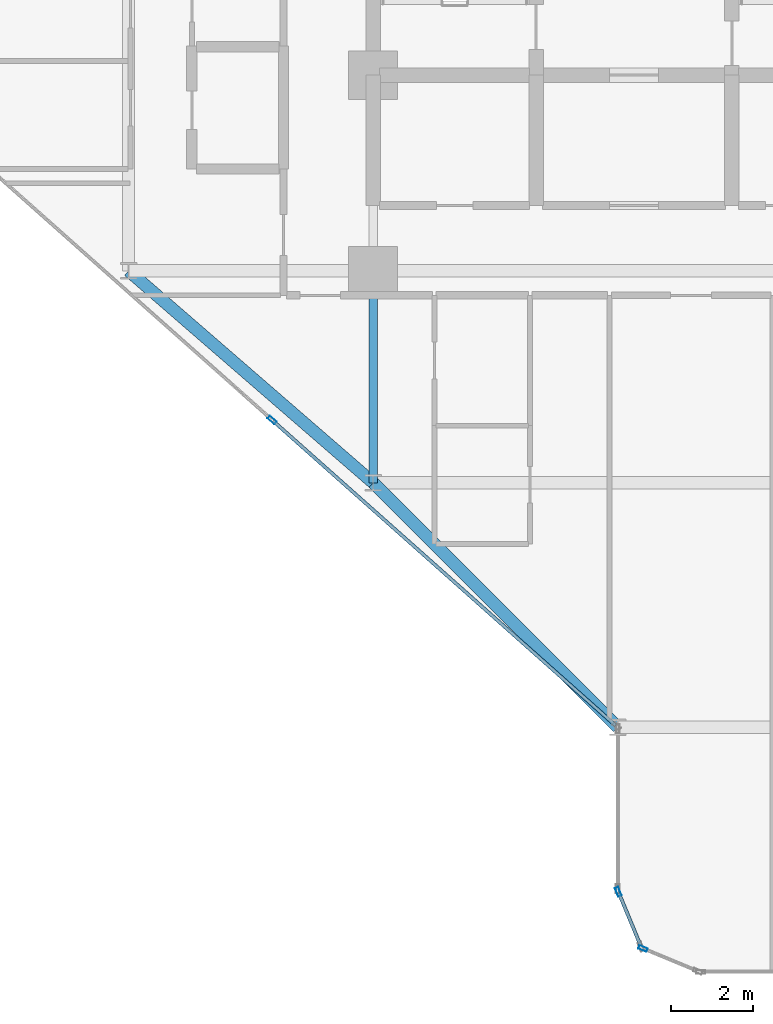
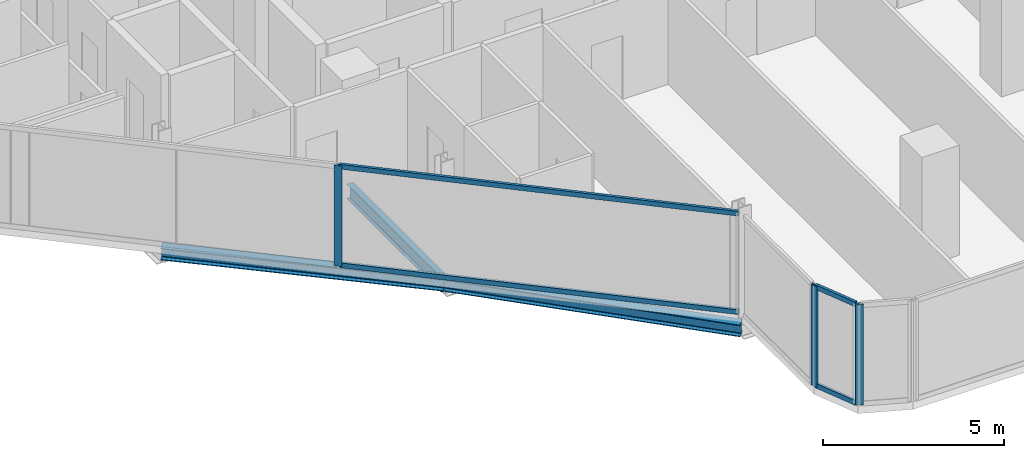
# One storey, part 3 of 33: 7 members, 3 beams, 3 elements without a shape of their own.
"""IFC4 building model written with IfcOpenShell, lengths in metres."""

from ifc_helpers import new_model, si_unit, direction, frame, origin, origin_2d, place, context, subcontext, project, spatial, hollow_rectangle, i_section, extrude, material, layer, layer_set, material_profile, profile_set, type_object, element, aggregate, save


model = new_model("IFC4")

# Units and contexts
model_context = context("Model", 3, precision=1e-05, world=origin(), true_north=direction((0.0, 1.0)))
body_context = subcontext(model_context, "Body", "Model", "MODEL_VIEW")
ifc_project = project(units=[si_unit("LENGTHUNIT", "METRE"), si_unit("AREAUNIT", "SQUARE_METRE"), si_unit("VOLUMEUNIT", "CUBIC_METRE"), si_unit("PLANEANGLEUNIT", "RADIAN"), si_unit("MASSUNIT", "GRAM", prefix="KILO")], contexts=[model_context])

# Site, building, storey
site_placement = place(None, origin())
site = spatial("IfcSite", under=ifc_project, at=site_placement, CompositionType="ELEMENT")
building_placement = place(site_placement, origin())
building = spatial("IfcBuilding", under=site, at=building_placement, Name="Keshet Zoharim Tower", CompositionType="ELEMENT")
storey_placement = place(building_placement, frame((0.0, 0.0, 73.800048828125)))
storey = spatial("IfcBuildingStorey", under=building, at=storey_placement, Name="L17", CompositionType="ELEMENT", Elevation=73.800048828125)

# Beams
ifc_material_1 = material(Name="Steel S355", Category="steel")
ifc_material_profile_1 = material_profile(ifc_material_1, i_section(OverallWidth=0.199951171875, OverallDepth=0.5, WebThickness=0.01025390625, FlangeThickness=0.01611328125, FilletRadius=0.02099609375, at=origin_2d()), Name="IPE500")
ifc_profile_set_1 = profile_set([ifc_material_profile_1], Name="Steel S355")
beam_type_1 = type_object("IfcBeamType", Name="BM-PRI-IP500", PredefinedType="BEAM", material=ifc_profile_set_1)
beam_1_placement = place(storey_placement, frame((15.0, 12.699951171875, -0.56494140625), z_axis=(0.0, 1.0, 0.0), x_axis=(-1.0, 0.0, 0.0)))
element("IfcBeam", 1, at=beam_1_placement, inside=storey, type_object=beam_type_1, Name="L17 Primary Girder Y-002", PredefinedType="BEAM", context=body_context, shape_type="SweptSolid", body=[
    extrude(i_section(OverallWidth=0.199951171875, OverallDepth=0.5, WebThickness=0.01025390625, FlangeThickness=0.01611328125, FilletRadius=0.02099609375, at=origin_2d()), origin(), (0.0, 0.0, 1.0), 5.199951171875),
])
ifc_material_profile_2 = material_profile(ifc_material_1, i_section(OverallWidth=0.300048828125, OverallDepth=0.39990234375, WebThickness=0.013427734375, FlangeThickness=0.02392578125, FilletRadius=0.027099609375, at=origin_2d()), Name="HEB400")
ifc_profile_set_2 = profile_set([ifc_material_profile_2], Name="Steel S355")
beam_type_2 = type_object("IfcBeamType", Name="BM-SPN-HB400", PredefinedType="SPANDREL", material=ifc_profile_set_2)
beam_2_placement = place(storey_placement, frame((21.0, 6.699951171875, -0.51513671875), z_axis=(-0.707106781187, 0.707106781187, 0.0), x_axis=(-0.707106781187, -0.707106781187, 0.0)))
element("IfcBeam", 2, at=beam_2_placement, inside=storey, type_object=beam_type_2, Name="L17 Perimeter Spandrel Beam 01", PredefinedType="SPANDREL", context=body_context, shape_type="SweptSolid", body=[
    extrude(i_section(OverallWidth=0.300048828125, OverallDepth=0.39990234375, WebThickness=0.013427734375, FlangeThickness=0.02392578125, FilletRadius=0.027099609375, at=origin_2d()), origin(), (0.0, 0.0, 1.0), 8.4853515625),
])
beam_3_placement = place(storey_placement, frame((9.0, 17.89990234375, -0.51513671875), z_axis=(0.755692126483, -0.654927026447, 0.0), x_axis=(0.654927026447, 0.755692126483, 0.0)))
element("IfcBeam", 3, at=beam_3_placement, inside=storey, type_object=beam_type_2, Name="L17 Perimeter Spandrel Beam 02", PredefinedType="SPANDREL", context=body_context, shape_type="SweptSolid", body=[
    extrude(i_section(OverallWidth=0.300048828125, OverallDepth=0.39990234375, WebThickness=0.013427734375, FlangeThickness=0.02392578125, FilletRadius=0.027099609375, at=origin_2d()), origin(), (0.0, 0.0, 1.0), 7.939697265625),
])

# Curtain wall, member
ifc_material_2 = material(Name="Aluminium 6063-T6", Category="aluminium")
ifc_layer = layer(ifc_material_2, 0.179931640625)
ifc_layer_set = layer_set([ifc_layer], Name="Aluminium 6063-T6")
curtain_wall_type = type_object("IfcCurtainWallType", Name="CW-SYS-01", PredefinedType="NOTDEFINED", material=ifc_layer_set)
curtain_wall_1_placement = place(storey_placement, origin())
curtain_wall_1 = element("IfcCurtainWall", 4, at=curtain_wall_1_placement, inside=storey, type_object=curtain_wall_type, Name="L17 Unitised Curtain Wall 01", PredefinedType="NOTDEFINED")
ifc_material_profile_3 = material_profile(ifc_material_2, hollow_rectangle(XDim=0.090087890625, YDim=0.219970703125, WallThickness=0.0048828125, at=origin_2d()), Name="MUL-90x220")
ifc_profile_set_3 = profile_set([ifc_material_profile_3], Name="Aluminium 6063-T6")
member_type_1 = type_object("IfcMemberType", Name="CWM-M22", PredefinedType="MULLION", material=ifc_profile_set_3)
member_1_placement = place(storey_placement, frame((12.517578125, 14.239990234375, 0.0), z_axis=(0.0, 0.0, 1.0), x_axis=(-0.664363838836, -0.747409318679, 0.0)))
member_1 = element("IfcMember", 5, at=member_1_placement, type_object=member_type_1, Name="CW-01 mullion 2", PredefinedType="MULLION", context=body_context, shape_type="SweptSolid", body=[
    extrude(hollow_rectangle(XDim=0.090087890625, YDim=0.219970703125, WallThickness=0.0048828125, at=origin_2d()), origin(), (0.0, 0.0, 1.0), 3.385009765625),
])

curtain_wall_2_placement = place(storey_placement, origin())
curtain_wall_2 = element("IfcCurtainWall", 6, at=curtain_wall_2_placement, inside=storey, type_object=curtain_wall_type, Name="L17 Unitised Curtain Wall 27", PredefinedType="NOTDEFINED")
member_2_placement = place(storey_placement, frame((21.618408203125, 1.272705078125, 0.0), z_axis=(0.0, 0.0, 1.0), x_axis=(-0.382851849847, -0.92380975372, 0.0)))
member_2 = element("IfcMember", 7, at=member_2_placement, type_object=member_type_1, Name="CW-01 mullion 2", PredefinedType="MULLION", context=body_context, shape_type="SweptSolid", body=[
    extrude(hollow_rectangle(XDim=0.090087890625, YDim=0.219970703125, WallThickness=0.0048828125, at=origin_2d()), origin(), (0.0, 0.0, 1.0), 3.385009765625),
])
aggregate(curtain_wall_2, [member_2])

curtain_wall_3_placement = place(storey_placement, origin())
curtain_wall_3 = element("IfcCurtainWall", 8, at=curtain_wall_3_placement, inside=storey, type_object=curtain_wall_type, Name="L17 Unitised Curtain Wall 28", PredefinedType="NOTDEFINED")
member_3_placement = place(storey_placement, frame((21.013427734375, 2.667724609375, 0.0), z_axis=(0.0, 0.0, 1.0), x_axis=(-0.92380975372, -0.382851849847, 0.0)))
member_3 = element("IfcMember", 9, at=member_3_placement, type_object=member_type_1, Name="CW-01 mullion 2", PredefinedType="MULLION", context=body_context, shape_type="SweptSolid", body=[
    extrude(hollow_rectangle(XDim=0.090087890625, YDim=0.219970703125, WallThickness=0.0048828125, at=origin_2d()), origin(), (0.0, 0.0, 1.0), 3.385009765625),
])

# Member
ifc_material_profile_4 = material_profile(ifc_material_2, hollow_rectangle(XDim=0.0849609375, YDim=0.159912109375, WallThickness=0.00439453125, at=origin_2d()), Name="TRN-85x160")
ifc_profile_set_4 = profile_set([ifc_material_profile_4], Name="Aluminium 6063-T6")
member_type_2 = type_object("IfcMemberType", Name="CWT-T16", PredefinedType="USERDEFINED", material=ifc_profile_set_4)
member_4_placement = place(storey_placement, frame((20.94775390625, 6.74658203125, 0.034912109375), z_axis=(-0.747411714548, 0.664361143472, 0.0), x_axis=(-0.664361143472, -0.747411714548, 0.0)))
member_4 = element("IfcMember", 10, at=member_4_placement, type_object=member_type_2, Name="CW-01 transom 1.1", ObjectType="TRANSOM", PredefinedType="USERDEFINED", context=body_context, shape_type="SweptSolid", body=[
    extrude(hollow_rectangle(XDim=0.0849609375, YDim=0.159912109375, WallThickness=0.00439453125, at=origin_2d()), origin(), (0.0, 0.0, 1.0), 11.244140625),
])

member_5_placement = place(storey_placement, frame((20.94775390625, 6.74658203125, 3.349853515625), z_axis=(-0.747411714548, 0.664361143472, 0.0), x_axis=(-0.664361143472, -0.747411714548, 0.0)))
member_5 = element("IfcMember", 11, at=member_5_placement, type_object=member_type_2, Name="CW-01 transom 1.2", ObjectType="TRANSOM", PredefinedType="USERDEFINED", context=body_context, shape_type="SweptSolid", body=[
    extrude(hollow_rectangle(XDim=0.0849609375, YDim=0.159912109375, WallThickness=0.00439453125, at=origin_2d()), origin(), (0.0, 0.0, 1.0), 11.244140625),
])

aggregate(curtain_wall_1, [member_1, member_4, member_5])

member_6_placement = place(storey_placement, frame((21.55908203125, 1.3505859375, 0.034912109375), z_axis=(-0.382744609247, 0.923854189844, 0.0), x_axis=(-0.923854189844, -0.382744609247, 0.0)))
member_6 = element("IfcMember", 12, at=member_6_placement, type_object=member_type_2, Name="CW-01 transom 1.1", ObjectType="TRANSOM", PredefinedType="USERDEFINED", context=body_context, shape_type="SweptSolid", body=[
    extrude(hollow_rectangle(XDim=0.0849609375, YDim=0.159912109375, WallThickness=0.00439453125, at=origin_2d()), origin(), (0.0, 0.0, 1.0), 1.390625),
])

member_7_placement = place(storey_placement, frame((21.55908203125, 1.3505859375, 3.349853515625), z_axis=(-0.382744609247, 0.923854189844, 0.0), x_axis=(-0.923854189844, -0.382744609247, 0.0)))
member_7 = element("IfcMember", 13, at=member_7_placement, type_object=member_type_2, Name="CW-01 transom 1.2", ObjectType="TRANSOM", PredefinedType="USERDEFINED", context=body_context, shape_type="SweptSolid", body=[
    extrude(hollow_rectangle(XDim=0.0849609375, YDim=0.159912109375, WallThickness=0.00439453125, at=origin_2d()), origin(), (0.0, 0.0, 1.0), 1.390625),
])

aggregate(curtain_wall_3, [member_3, member_6, member_7])

save(model, "model.ifc")
